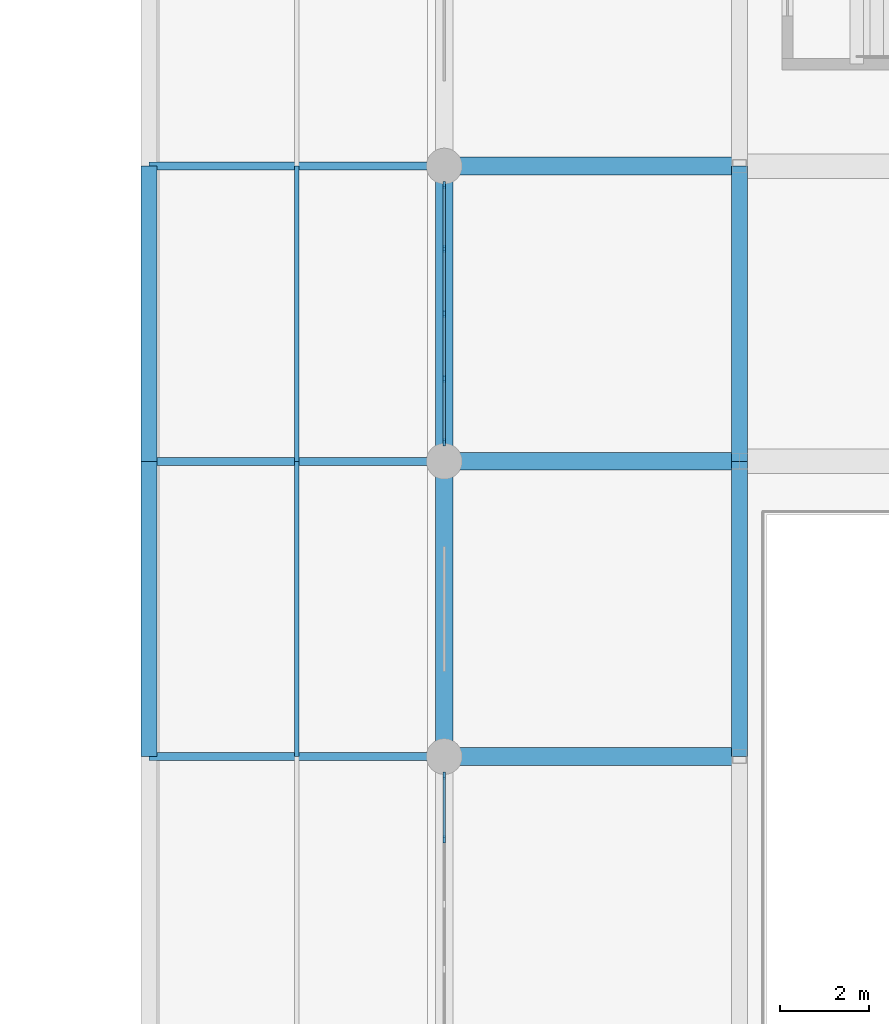
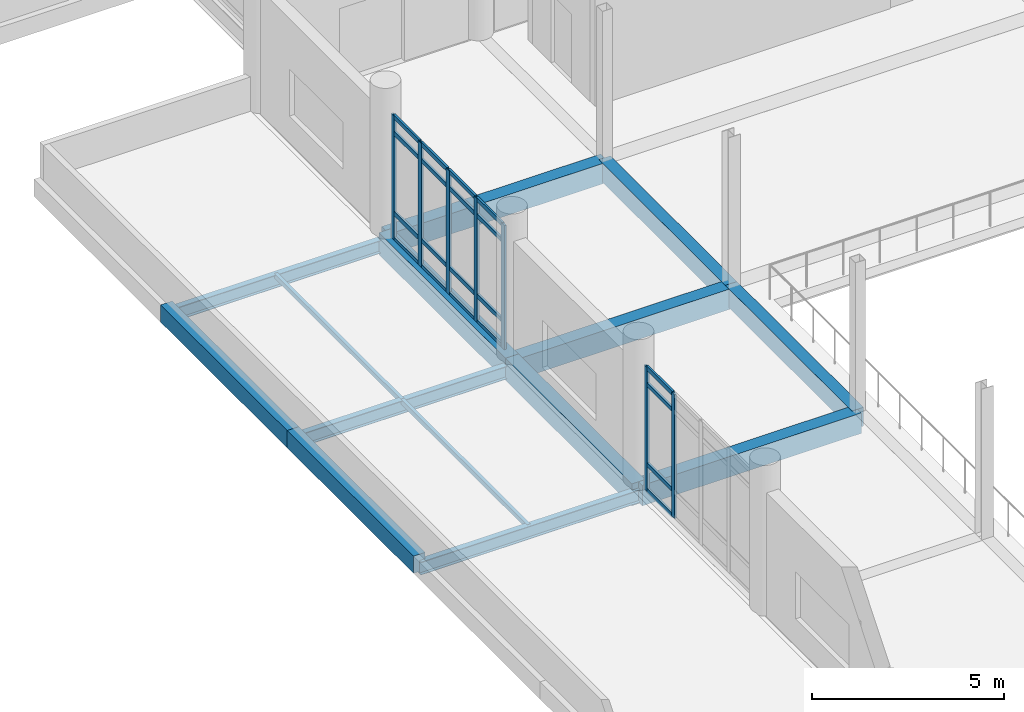
# One storey, part 26 of 125: 29 members, 12 beams, 2 elements without a shape of their own.
"""IFC4 building model written with IfcOpenShell, lengths in metres."""

from ifc_helpers import new_model, si_unit, direction, frame, origin, origin_2d, place, context, subcontext, project, spatial, rectangle, hollow_rectangle, i_section, extrude, material, material_profile, profile_set, type_object, element, aggregate, save


model = new_model("IFC4")

# Units and contexts
model_context = context("Model", 3, precision=1e-05, world=origin(), true_north=direction((0.0, 1.0)))
body_context = subcontext(model_context, "Body", "Model", "MODEL_VIEW")
ifc_project = project(units=[si_unit("LENGTHUNIT", "METRE"), si_unit("AREAUNIT", "SQUARE_METRE"), si_unit("VOLUMEUNIT", "CUBIC_METRE"), si_unit("PLANEANGLEUNIT", "RADIAN"), si_unit("MASSUNIT", "GRAM", prefix="KILO")], contexts=[model_context])

# Site, building, storey
site_placement = place(None, origin())
site = spatial("IfcSite", under=ifc_project, at=site_placement, CompositionType="ELEMENT")
building_placement = place(site_placement, origin())
building = spatial("IfcBuilding", under=site, at=building_placement, Name="Dornvale Research Institute", CompositionType="ELEMENT")
storey_placement = place(building_placement, frame((0.0, 0.0, 5.39990234375)))
storey = spatial("IfcBuildingStorey", under=building, at=storey_placement, Name="L01", CompositionType="ELEMENT", Elevation=5.39990234375)

# Beams
ifc_material_1 = material(Name="Concrete f'c 45 MPa (C35/45)", Category="concrete")
ifc_material_profile_1 = material_profile(ifc_material_1, rectangle(XDim=0.35009765625, YDim=0.60009765625, at=origin_2d()), Name="RC 350x600")
ifc_profile_set_1 = profile_set([ifc_material_profile_1], Name="Concrete f'c 45 MPa (C35/45)")
beam_type_1 = type_object("IfcBeamType", Name="Beam_RC350x600_Floor", PredefinedType="BEAM", material=ifc_profile_set_1)
beam_1_placement = place(storey_placement, frame((46.199951171875, 66.0, -0.2998046875), z_axis=(0.0, 1.0, 0.0), x_axis=(-1.0, 0.0, 0.0)))
element("IfcBeam", 1, at=beam_1_placement, inside=storey, type_object=beam_type_1, Name="L01 transverse girder #535", PredefinedType="BEAM", context=body_context, shape_type="SweptSolid", body=[
    extrude(rectangle(XDim=0.35009765625, YDim=0.60009765625, at=origin_2d()), origin(), (0.0, 0.0, 1.0), 6.60009765625),
])
beam_2_placement = place(storey_placement, frame((46.199951171875, 72.60009765625, -0.2998046875), z_axis=(0.0, 1.0, 0.0), x_axis=(-1.0, 0.0, 0.0)))
element("IfcBeam", 2, at=beam_2_placement, inside=storey, type_object=beam_type_1, Name="L01 transverse girder #536", PredefinedType="BEAM", context=body_context, shape_type="SweptSolid", body=[
    extrude(rectangle(XDim=0.35009765625, YDim=0.60009765625, at=origin_2d()), origin(), (0.0, 0.0, 1.0), 6.599853515625),
])
ifc_material_2 = material(Name="Concrete f'c 45 MPa (C35/45)", Category="concrete")
ifc_material_profile_2 = material_profile(ifc_material_2, rectangle(XDim=0.39990234375, YDim=0.64990234375, at=origin_2d()), Name="RC 400x650")
ifc_profile_set_2 = profile_set([ifc_material_profile_2], Name="Concrete f'c 45 MPa (C35/45)")
beam_type_2 = type_object("IfcBeamType", Name="Beam_RC400x650_Floor", PredefinedType="BEAM", material=ifc_profile_set_2)
for number, where, z_axis, x_axis, name in (
    (3, (39.60009765625, 66.0, -0.324951171875), (1.0, 0.0, 0.0), (0.0, 1.0, 0.0), "L01 primary girder #513"),
    (4, (39.60009765625, 72.60009765625, -0.324951171875), (1.0, 0.0, 0.0), (0.0, 1.0, 0.0), "L01 primary girder #515"),
    (5, (39.60009765625, 79.199951171875, -0.324951171875), (1.0, 0.0, 0.0), (0.0, 1.0, 0.0), "L01 primary girder #518"),
):
    element("IfcBeam", number, at=place(storey_placement, frame(where, z_axis=z_axis, x_axis=x_axis)), inside=storey, type_object=beam_type_2, Name=name, PredefinedType="BEAM", context=body_context, shape_type="SweptSolid", body=[
        extrude(rectangle(XDim=0.39990234375, YDim=0.64990234375, at=origin_2d()), origin(), (0.0, 0.0, 1.0), 6.599853515625),
    ])
ifc_material_3 = material(Name="Steel ASTM A992 Grade 50", Category="steel")
ifc_material_profile_3 = material_profile(ifc_material_3, i_section(OverallWidth=0.178955078125, OverallDepth=0.409912109375, WebThickness=0.0087890625, FlangeThickness=0.014404296875, at=origin_2d()), Name="W16X45")
ifc_profile_set_3 = profile_set([ifc_material_profile_3], Name="Steel ASTM A992 Grade 50")
beam_type_3 = type_object("IfcBeamType", Name="Beam_Steel_W16X45_Canopy", PredefinedType="BEAM", material=ifc_profile_set_3)
for number, where, z_axis, x_axis, name in (
    (6, (33.0, 66.0, -0.40478515625), (1.0, 0.0, 0.0), (0.0, 1.0, 0.0), "L01 entrance canopy rib #1889"),
    (7, (33.0, 72.60009765625, -0.40478515625), (1.0, 0.0, 0.0), (0.0, 1.0, 0.0), "L01 entrance canopy rib #1891"),
    (8, (33.0, 79.199951171875, -0.40478515625), (1.0, 0.0, 0.0), (0.0, 1.0, 0.0), "L01 entrance canopy rib #1893"),
):
    element("IfcBeam", number, at=place(storey_placement, frame(where, z_axis=z_axis, x_axis=x_axis)), inside=storey, type_object=beam_type_3, Name=name, PredefinedType="BEAM", context=body_context, shape_type="SweptSolid", body=[
        extrude(i_section(OverallWidth=0.178955078125, OverallDepth=0.409912109375, WebThickness=0.0087890625, FlangeThickness=0.014404296875, at=origin_2d()), origin(), (0.0, 0.0, 1.0), 6.60009765625),
    ])
ifc_material_4 = material(Name="Concrete f'c 45 MPa (C35/45)", Category="concrete")
ifc_material_profile_4 = material_profile(ifc_material_4, rectangle(XDim=0.35009765625, YDim=0.550048828125, at=origin_2d()), Name="RC 350x550")
ifc_profile_set_4 = profile_set([ifc_material_profile_4], Name="Concrete f'c 45 MPa (C35/45)")
beam_type_4 = type_object("IfcBeamType", Name="Lintel_RC350x550_Arch", PredefinedType="LINTEL", material=ifc_profile_set_4)
beam_3_placement = place(storey_placement, frame((33.0, 66.0, -0.27490234375), z_axis=(0.0, 1.0, 0.0), x_axis=(-1.0, 0.0, 0.0)))
element("IfcBeam", 9, at=beam_3_placement, inside=storey, type_object=beam_type_4, Name="L01 colonnade arch lintel #1875", PredefinedType="LINTEL", context=body_context, shape_type="SweptSolid", body=[
    extrude(rectangle(XDim=0.35009765625, YDim=0.550048828125, at=origin_2d()), origin(), (0.0, 0.0, 1.0), 6.60009765625),
])
beam_4_placement = place(storey_placement, frame((33.0, 72.60009765625, -0.27490234375), z_axis=(0.0, 1.0, 0.0), x_axis=(-1.0, 0.0, 0.0)))
element("IfcBeam", 10, at=beam_4_placement, inside=storey, type_object=beam_type_4, Name="L01 colonnade arch lintel #1877", PredefinedType="LINTEL", context=body_context, shape_type="SweptSolid", body=[
    extrude(rectangle(XDim=0.35009765625, YDim=0.550048828125, at=origin_2d()), origin(), (0.0, 0.0, 1.0), 6.599853515625),
])

# Curtain wall, members
ifc_material_5 = material(Name="Low-E Argon Double Insulating Glazing Unit", Category="glass")
curtain_wall_type = type_object("IfcCurtainWallType", Name="UnitisedCurtainWall_V2_5810x3950", PredefinedType="USERDEFINED", material=ifc_material_5)
curtain_wall_1_placement = place(storey_placement, origin())
curtain_wall_1 = element("IfcCurtainWall", 11, at=curtain_wall_1_placement, inside=storey, type_object=curtain_wall_type, Name="L01 V2 unitised curtain wall CW-02 #5", ObjectType="UNITISED CURTAIN WALL", PredefinedType="USERDEFINED")
ifc_material_6 = material(Name="Anodized Aluminum AA 6063-T6 Thermally Broken Frame", Category="aluminium")
ifc_material_profile_5 = material_profile(ifc_material_6, rectangle(XDim=0.06494140625, YDim=0.1650390625, at=origin_2d()), Name="ALU MULLION 65x165")
ifc_profile_set_5 = profile_set([ifc_material_profile_5], Name="Anodized Aluminum AA 6063-T6 Thermally Broken Frame")
member_type_1 = type_object("IfcMemberType", Name="Mullion_Atrium_65x165", PredefinedType="MULLION", material=ifc_profile_set_5)
member_1_placement = place(storey_placement, frame((39.60009765625, 64.152587890625, 0.0), z_axis=(0.0, 0.0, 1.0), x_axis=(-1.0, 0.0, 0.0)))
member_1 = element("IfcMember", 12, at=member_1_placement, type_object=member_type_1, Name="CW-02 mullion 4", PredefinedType="MULLION", context=body_context, shape_type="SweptSolid", body=[
    extrude(rectangle(XDim=0.06494140625, YDim=0.1650390625, at=origin_2d()), origin(), (0.0, 0.0, 1.0), 3.9501953125),
])
member_2_placement = place(storey_placement, frame((39.60009765625, 65.572509765625, 0.0), z_axis=(0.0, 0.0, 1.0), x_axis=(-1.0, 0.0, 0.0)))
member_2 = element("IfcMember", 13, at=member_2_placement, type_object=member_type_1, Name="CW-02 mullion 5", PredefinedType="MULLION", context=body_context, shape_type="SweptSolid", body=[
    extrude(rectangle(XDim=0.06494140625, YDim=0.1650390625, at=origin_2d()), origin(), (0.0, 0.0, 1.0), 3.9501953125),
])

curtain_wall_2_placement = place(storey_placement, origin())
curtain_wall_2 = element("IfcCurtainWall", 14, at=curtain_wall_2_placement, inside=storey, type_object=curtain_wall_type, Name="L01 V2 unitised curtain wall CW-02 #6", ObjectType="UNITISED CURTAIN WALL", PredefinedType="USERDEFINED")
member_3_placement = place(storey_placement, frame((39.60009765625, 73.027587890625, 0.0), z_axis=(0.0, 0.0, 1.0), x_axis=(-1.0, 0.0, 0.0)))
member_3 = element("IfcMember", 15, at=member_3_placement, type_object=member_type_1, Name="CW-02 mullion 1", PredefinedType="MULLION", context=body_context, shape_type="SweptSolid", body=[
    extrude(rectangle(XDim=0.06494140625, YDim=0.1650390625, at=origin_2d()), origin(), (0.0, 0.0, 1.0), 3.9501953125),
])
member_4_placement = place(storey_placement, frame((39.60009765625, 74.447509765625, 0.0), z_axis=(0.0, 0.0, 1.0), x_axis=(-1.0, 0.0, 0.0)))
member_4 = element("IfcMember", 16, at=member_4_placement, type_object=member_type_1, Name="CW-02 mullion 2", PredefinedType="MULLION", context=body_context, shape_type="SweptSolid", body=[
    extrude(rectangle(XDim=0.06494140625, YDim=0.1650390625, at=origin_2d()), origin(), (0.0, 0.0, 1.0), 3.9501953125),
])
member_5_placement = place(storey_placement, frame((39.60009765625, 75.89990234375, 0.0), z_axis=(0.0, 0.0, 1.0), x_axis=(-1.0, 0.0, 0.0)))
member_5 = element("IfcMember", 17, at=member_5_placement, type_object=member_type_1, Name="CW-02 mullion 3", PredefinedType="MULLION", context=body_context, shape_type="SweptSolid", body=[
    extrude(rectangle(XDim=0.06494140625, YDim=0.1650390625, at=origin_2d()), origin(), (0.0, 0.0, 1.0), 3.9501953125),
])
member_6_placement = place(storey_placement, frame((39.60009765625, 77.3525390625, 0.0), z_axis=(0.0, 0.0, 1.0), x_axis=(-1.0, 0.0, 0.0)))
member_6 = element("IfcMember", 18, at=member_6_placement, type_object=member_type_1, Name="CW-02 mullion 4", PredefinedType="MULLION", context=body_context, shape_type="SweptSolid", body=[
    extrude(rectangle(XDim=0.06494140625, YDim=0.1650390625, at=origin_2d()), origin(), (0.0, 0.0, 1.0), 3.9501953125),
])
member_7_placement = place(storey_placement, frame((39.60009765625, 78.7724609375, 0.0), z_axis=(0.0, 0.0, 1.0), x_axis=(-1.0, 0.0, 0.0)))
member_7 = element("IfcMember", 19, at=member_7_placement, type_object=member_type_1, Name="CW-02 mullion 5", PredefinedType="MULLION", context=body_context, shape_type="SweptSolid", body=[
    extrude(rectangle(XDim=0.06494140625, YDim=0.1650390625, at=origin_2d()), origin(), (0.0, 0.0, 1.0), 3.9501953125),
])

# Members
ifc_material_7 = material(Name="Steel ASTM A500 Grade C", Category="steel")
ifc_material_profile_6 = material_profile(ifc_material_7, hollow_rectangle(XDim=0.10205078125, YDim=0.152099609375, WallThickness=0.005859375, at=origin_2d()), Name="HSS152X102X6.4")
ifc_profile_set_6 = profile_set([ifc_material_profile_6], Name="Steel ASTM A500 Grade C")
member_type_2 = type_object("IfcMemberType", Name="Purlin_HSS152X102_Canopy", PredefinedType="PURLIN", material=ifc_profile_set_6)
member_8_placement = place(storey_placement, frame((36.300048828125, 66.0, -0.27587890625), z_axis=(0.0, 1.0, 0.0), x_axis=(-1.0, 0.0, 0.0)))
element("IfcMember", 20, at=member_8_placement, inside=storey, type_object=member_type_2, Name="Entrance canopy purlin #17", PredefinedType="PURLIN", context=body_context, shape_type="SweptSolid", body=[
    extrude(hollow_rectangle(XDim=0.10205078125, YDim=0.152099609375, WallThickness=0.005859375, at=origin_2d()), origin(), (0.0, 0.0, 1.0), 6.60009765625),
])
member_9_placement = place(storey_placement, frame((36.300048828125, 72.60009765625, -0.27587890625), z_axis=(0.0, 1.0, 0.0), x_axis=(-1.0, 0.0, 0.0)))
element("IfcMember", 21, at=member_9_placement, inside=storey, type_object=member_type_2, Name="Entrance canopy purlin #18", PredefinedType="PURLIN", context=body_context, shape_type="SweptSolid", body=[
    extrude(hollow_rectangle(XDim=0.10205078125, YDim=0.152099609375, WallThickness=0.005859375, at=origin_2d()), origin(), (0.0, 0.0, 1.0), 6.599853515625),
])

# Beams
ifc_material_8 = material(Name="Concrete f'c 45 MPa (C35/45)", Category="concrete")
ifc_material_profile_7 = material_profile(ifc_material_8, rectangle(XDim=0.39990234375, YDim=0.699951171875, at=origin_2d()), Name="RC 400x700")
ifc_profile_set_7 = profile_set([ifc_material_profile_7], Name="Concrete f'c 45 MPa (C35/45)")
beam_type_5 = type_object("IfcBeamType", Name="Spandrel_RC400x700_Ext", PredefinedType="SPANDREL", material=ifc_profile_set_7)
beam_5_placement = place(storey_placement, frame((39.60009765625, 66.0, -0.349853515625), z_axis=(0.0, 1.0, 0.0), x_axis=(-1.0, 0.0, 0.0)))
element("IfcBeam", 22, at=beam_5_placement, inside=storey, type_object=beam_type_5, Name="L01 perimeter spandrel #528", PredefinedType="SPANDREL", context=body_context, shape_type="SweptSolid", body=[
    extrude(rectangle(XDim=0.39990234375, YDim=0.699951171875, at=origin_2d()), origin(), (0.0, 0.0, 1.0), 6.60009765625),
])
beam_6_placement = place(storey_placement, frame((39.60009765625, 72.60009765625, -0.349853515625), z_axis=(0.0, 1.0, 0.0), x_axis=(-1.0, 0.0, 0.0)))
element("IfcBeam", 23, at=beam_6_placement, inside=storey, type_object=beam_type_5, Name="L01 perimeter spandrel #529", PredefinedType="SPANDREL", context=body_context, shape_type="SweptSolid", body=[
    extrude(rectangle(XDim=0.39990234375, YDim=0.699951171875, at=origin_2d()), origin(), (0.0, 0.0, 1.0), 6.599853515625),
])

# Member
ifc_material_9 = material(Name="Anodized Aluminum AA 6063-T6 Thermally Broken Frame", Category="aluminium")
ifc_material_profile_8 = material_profile(ifc_material_9, rectangle(XDim=0.06494140625, YDim=0.135009765625, at=origin_2d()), Name="ALU TRANSOM 65x135")
ifc_profile_set_8 = profile_set([ifc_material_profile_8], Name="Anodized Aluminum AA 6063-T6 Thermally Broken Frame")
member_type_3 = type_object("IfcMemberType", Name="Transom_CW_65x135", PredefinedType="USERDEFINED", material=ifc_profile_set_8)
member_10_placement = place(storey_placement, frame((39.60009765625, 64.18505859375, 0.03271484375), z_axis=(0.0, 1.0, 0.0), x_axis=(-1.0, 0.0, 0.0)))
member_10 = element("IfcMember", 24, at=member_10_placement, type_object=member_type_3, Name="CW-02 transom 4.1", ObjectType="TRANSOM", PredefinedType="USERDEFINED", context=body_context, shape_type="SweptSolid", body=[
    extrude(rectangle(XDim=0.06494140625, YDim=0.135009765625, at=origin_2d()), origin(), (0.0, 0.0, 1.0), 1.35498046875),
])

member_11_placement = place(storey_placement, frame((39.60009765625, 64.18505859375, 0.85009765625), z_axis=(0.0, 1.0, 0.0), x_axis=(-1.0, 0.0, 0.0)))
member_11 = element("IfcMember", 25, at=member_11_placement, type_object=member_type_3, Name="CW-02 transom 4.2", ObjectType="TRANSOM", PredefinedType="USERDEFINED", context=body_context, shape_type="SweptSolid", body=[
    extrude(rectangle(XDim=0.06494140625, YDim=0.135009765625, at=origin_2d()), origin(), (0.0, 0.0, 1.0), 1.35498046875),
])

member_12_placement = place(storey_placement, frame((39.60009765625, 64.18505859375, 3.400146484375), z_axis=(0.0, 1.0, 0.0), x_axis=(-1.0, 0.0, 0.0)))
member_12 = element("IfcMember", 26, at=member_12_placement, type_object=member_type_3, Name="CW-02 transom 4.3", ObjectType="TRANSOM", PredefinedType="USERDEFINED", context=body_context, shape_type="SweptSolid", body=[
    extrude(rectangle(XDim=0.06494140625, YDim=0.135009765625, at=origin_2d()), origin(), (0.0, 0.0, 1.0), 1.35498046875),
])

member_13_placement = place(storey_placement, frame((39.60009765625, 64.18505859375, 3.91748046875), z_axis=(0.0, 1.0, 0.0), x_axis=(-1.0, 0.0, 0.0)))
member_13 = element("IfcMember", 27, at=member_13_placement, type_object=member_type_3, Name="CW-02 transom 4.4", ObjectType="TRANSOM", PredefinedType="USERDEFINED", context=body_context, shape_type="SweptSolid", body=[
    extrude(rectangle(XDim=0.06494140625, YDim=0.135009765625, at=origin_2d()), origin(), (0.0, 0.0, 1.0), 1.35498046875),
])

aggregate(curtain_wall_1, [member_1, member_2, member_10, member_11, member_12, member_13])

member_14_placement = place(storey_placement, frame((39.60009765625, 73.06005859375, 0.03271484375), z_axis=(0.0, 1.0, 0.0), x_axis=(-1.0, 0.0, 0.0)))
member_14 = element("IfcMember", 28, at=member_14_placement, type_object=member_type_3, Name="CW-02 transom 1.1", ObjectType="TRANSOM", PredefinedType="USERDEFINED", context=body_context, shape_type="SweptSolid", body=[
    extrude(rectangle(XDim=0.06494140625, YDim=0.135009765625, at=origin_2d()), origin(), (0.0, 0.0, 1.0), 1.35498046875),
])

member_15_placement = place(storey_placement, frame((39.60009765625, 73.06005859375, 0.85009765625), z_axis=(0.0, 1.0, 0.0), x_axis=(-1.0, 0.0, 0.0)))
member_15 = element("IfcMember", 29, at=member_15_placement, type_object=member_type_3, Name="CW-02 transom 1.2", ObjectType="TRANSOM", PredefinedType="USERDEFINED", context=body_context, shape_type="SweptSolid", body=[
    extrude(rectangle(XDim=0.06494140625, YDim=0.135009765625, at=origin_2d()), origin(), (0.0, 0.0, 1.0), 1.35498046875),
])

member_16_placement = place(storey_placement, frame((39.60009765625, 73.06005859375, 3.400146484375), z_axis=(0.0, 1.0, 0.0), x_axis=(-1.0, 0.0, 0.0)))
member_16 = element("IfcMember", 30, at=member_16_placement, type_object=member_type_3, Name="CW-02 transom 1.3", ObjectType="TRANSOM", PredefinedType="USERDEFINED", context=body_context, shape_type="SweptSolid", body=[
    extrude(rectangle(XDim=0.06494140625, YDim=0.135009765625, at=origin_2d()), origin(), (0.0, 0.0, 1.0), 1.35498046875),
])

member_17_placement = place(storey_placement, frame((39.60009765625, 73.06005859375, 3.91748046875), z_axis=(0.0, 1.0, 0.0), x_axis=(-1.0, 0.0, 0.0)))
member_17 = element("IfcMember", 31, at=member_17_placement, type_object=member_type_3, Name="CW-02 transom 1.4", ObjectType="TRANSOM", PredefinedType="USERDEFINED", context=body_context, shape_type="SweptSolid", body=[
    extrude(rectangle(XDim=0.06494140625, YDim=0.135009765625, at=origin_2d()), origin(), (0.0, 0.0, 1.0), 1.35498046875),
])

member_18_placement = place(storey_placement, frame((39.60009765625, 74.47998046875, 0.03271484375), z_axis=(0.0, 1.0, 0.0), x_axis=(-1.0, 0.0, 0.0)))
member_18 = element("IfcMember", 32, at=member_18_placement, type_object=member_type_3, Name="CW-02 transom 2.1", ObjectType="TRANSOM", PredefinedType="USERDEFINED", context=body_context, shape_type="SweptSolid", body=[
    extrude(rectangle(XDim=0.06494140625, YDim=0.135009765625, at=origin_2d()), origin(), (0.0, 0.0, 1.0), 1.387451171875),
])

member_19_placement = place(storey_placement, frame((39.60009765625, 74.47998046875, 0.85009765625), z_axis=(0.0, 1.0, 0.0), x_axis=(-1.0, 0.0, 0.0)))
member_19 = element("IfcMember", 33, at=member_19_placement, type_object=member_type_3, Name="CW-02 transom 2.2", ObjectType="TRANSOM", PredefinedType="USERDEFINED", context=body_context, shape_type="SweptSolid", body=[
    extrude(rectangle(XDim=0.06494140625, YDim=0.135009765625, at=origin_2d()), origin(), (0.0, 0.0, 1.0), 1.387451171875),
])

member_20_placement = place(storey_placement, frame((39.60009765625, 74.47998046875, 3.400146484375), z_axis=(0.0, 1.0, 0.0), x_axis=(-1.0, 0.0, 0.0)))
member_20 = element("IfcMember", 34, at=member_20_placement, type_object=member_type_3, Name="CW-02 transom 2.3", ObjectType="TRANSOM", PredefinedType="USERDEFINED", context=body_context, shape_type="SweptSolid", body=[
    extrude(rectangle(XDim=0.06494140625, YDim=0.135009765625, at=origin_2d()), origin(), (0.0, 0.0, 1.0), 1.387451171875),
])

member_21_placement = place(storey_placement, frame((39.60009765625, 74.47998046875, 3.91748046875), z_axis=(0.0, 1.0, 0.0), x_axis=(-1.0, 0.0, 0.0)))
member_21 = element("IfcMember", 35, at=member_21_placement, type_object=member_type_3, Name="CW-02 transom 2.4", ObjectType="TRANSOM", PredefinedType="USERDEFINED", context=body_context, shape_type="SweptSolid", body=[
    extrude(rectangle(XDim=0.06494140625, YDim=0.135009765625, at=origin_2d()), origin(), (0.0, 0.0, 1.0), 1.387451171875),
])

member_22_placement = place(storey_placement, frame((39.60009765625, 75.9326171875, 0.03271484375), z_axis=(0.0, 1.0, 0.0), x_axis=(-1.0, 0.0, 0.0)))
member_22 = element("IfcMember", 36, at=member_22_placement, type_object=member_type_3, Name="CW-02 transom 3.1", ObjectType="TRANSOM", PredefinedType="USERDEFINED", context=body_context, shape_type="SweptSolid", body=[
    extrude(rectangle(XDim=0.06494140625, YDim=0.135009765625, at=origin_2d()), origin(), (0.0, 0.0, 1.0), 1.387451171875),
])

member_23_placement = place(storey_placement, frame((39.60009765625, 75.9326171875, 0.85009765625), z_axis=(0.0, 1.0, 0.0), x_axis=(-1.0, 0.0, 0.0)))
member_23 = element("IfcMember", 37, at=member_23_placement, type_object=member_type_3, Name="CW-02 transom 3.2", ObjectType="TRANSOM", PredefinedType="USERDEFINED", context=body_context, shape_type="SweptSolid", body=[
    extrude(rectangle(XDim=0.06494140625, YDim=0.135009765625, at=origin_2d()), origin(), (0.0, 0.0, 1.0), 1.387451171875),
])

member_24_placement = place(storey_placement, frame((39.60009765625, 75.9326171875, 3.400146484375), z_axis=(0.0, 1.0, 0.0), x_axis=(-1.0, 0.0, 0.0)))
member_24 = element("IfcMember", 38, at=member_24_placement, type_object=member_type_3, Name="CW-02 transom 3.3", ObjectType="TRANSOM", PredefinedType="USERDEFINED", context=body_context, shape_type="SweptSolid", body=[
    extrude(rectangle(XDim=0.06494140625, YDim=0.135009765625, at=origin_2d()), origin(), (0.0, 0.0, 1.0), 1.387451171875),
])

member_25_placement = place(storey_placement, frame((39.60009765625, 75.9326171875, 3.91748046875), z_axis=(0.0, 1.0, 0.0), x_axis=(-1.0, 0.0, 0.0)))
member_25 = element("IfcMember", 39, at=member_25_placement, type_object=member_type_3, Name="CW-02 transom 3.4", ObjectType="TRANSOM", PredefinedType="USERDEFINED", context=body_context, shape_type="SweptSolid", body=[
    extrude(rectangle(XDim=0.06494140625, YDim=0.135009765625, at=origin_2d()), origin(), (0.0, 0.0, 1.0), 1.387451171875),
])

member_26_placement = place(storey_placement, frame((39.60009765625, 77.385009765625, 0.03271484375), z_axis=(0.0, 1.0, 0.0), x_axis=(-1.0, 0.0, 0.0)))
member_26 = element("IfcMember", 40, at=member_26_placement, type_object=member_type_3, Name="CW-02 transom 4.1", ObjectType="TRANSOM", PredefinedType="USERDEFINED", context=body_context, shape_type="SweptSolid", body=[
    extrude(rectangle(XDim=0.06494140625, YDim=0.135009765625, at=origin_2d()), origin(), (0.0, 0.0, 1.0), 1.35498046875),
])

member_27_placement = place(storey_placement, frame((39.60009765625, 77.385009765625, 0.85009765625), z_axis=(0.0, 1.0, 0.0), x_axis=(-1.0, 0.0, 0.0)))
member_27 = element("IfcMember", 41, at=member_27_placement, type_object=member_type_3, Name="CW-02 transom 4.2", ObjectType="TRANSOM", PredefinedType="USERDEFINED", context=body_context, shape_type="SweptSolid", body=[
    extrude(rectangle(XDim=0.06494140625, YDim=0.135009765625, at=origin_2d()), origin(), (0.0, 0.0, 1.0), 1.35498046875),
])

member_28_placement = place(storey_placement, frame((39.60009765625, 77.385009765625, 3.400146484375), z_axis=(0.0, 1.0, 0.0), x_axis=(-1.0, 0.0, 0.0)))
member_28 = element("IfcMember", 42, at=member_28_placement, type_object=member_type_3, Name="CW-02 transom 4.3", ObjectType="TRANSOM", PredefinedType="USERDEFINED", context=body_context, shape_type="SweptSolid", body=[
    extrude(rectangle(XDim=0.06494140625, YDim=0.135009765625, at=origin_2d()), origin(), (0.0, 0.0, 1.0), 1.35498046875),
])

member_29_placement = place(storey_placement, frame((39.60009765625, 77.385009765625, 3.91748046875), z_axis=(0.0, 1.0, 0.0), x_axis=(-1.0, 0.0, 0.0)))
member_29 = element("IfcMember", 43, at=member_29_placement, type_object=member_type_3, Name="CW-02 transom 4.4", ObjectType="TRANSOM", PredefinedType="USERDEFINED", context=body_context, shape_type="SweptSolid", body=[
    extrude(rectangle(XDim=0.06494140625, YDim=0.135009765625, at=origin_2d()), origin(), (0.0, 0.0, 1.0), 1.35498046875),
])

aggregate(curtain_wall_2, [member_3, member_4, member_5, member_6, member_7, member_14, member_15, member_16, member_17, member_18, member_19, member_20, member_21, member_22, member_23, member_24, member_25, member_26, member_27, member_28, member_29])

save(model, "model.ifc")
